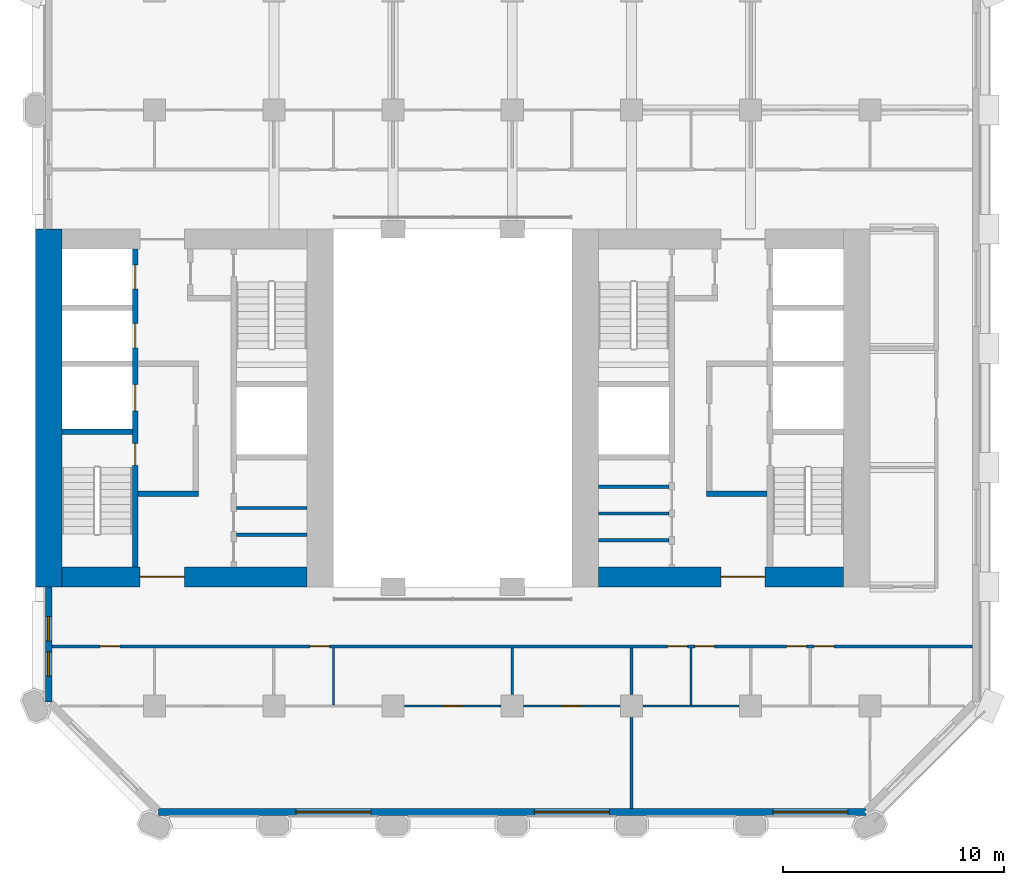
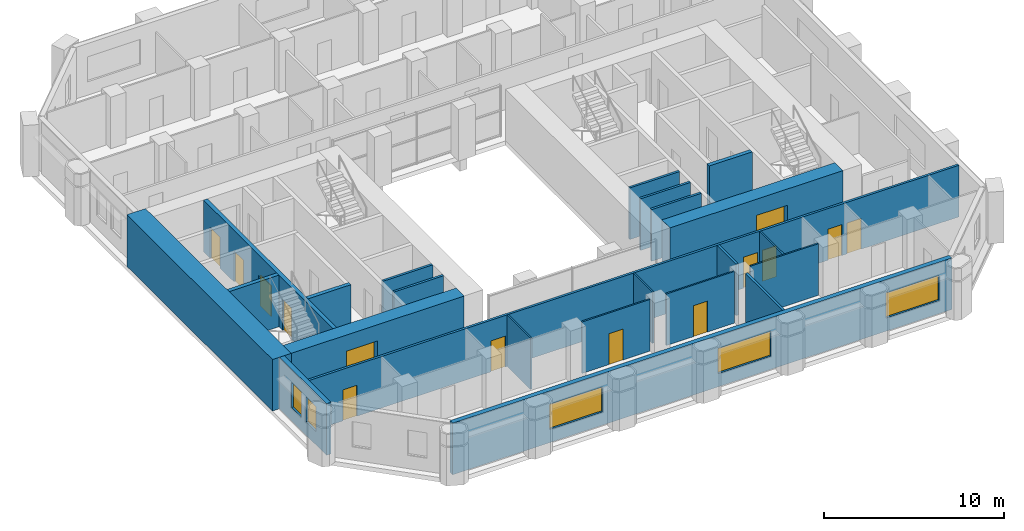
# One storey, part 4 of 11: 23 walls, 14 doors, 5 windows, 19 openings.
"""IFC4 building model written with IfcOpenShell, lengths in metres."""

from ifc_helpers import new_model, si_unit, direction, frame, frame_2d, origin, place, context, subcontext, project, spatial, rectangle, extrude, material, layer, layer_set, type_object, element, fill, save


model = new_model("IFC4")

# Units and contexts
model_context = context("Model", 3, precision=1e-05, world=origin(), true_north=direction((0.0, 1.0)))
body_context = subcontext(model_context, "Body", "Model", "MODEL_VIEW")
ifc_project = project(units=[si_unit("LENGTHUNIT", "METRE"), si_unit("AREAUNIT", "SQUARE_METRE"), si_unit("VOLUMEUNIT", "CUBIC_METRE"), si_unit("PLANEANGLEUNIT", "RADIAN"), si_unit("MASSUNIT", "GRAM", prefix="KILO")], contexts=[model_context])

# Site, building, storey
site_placement = place(None, origin())
site = spatial("IfcSite", under=ifc_project, at=site_placement, CompositionType="ELEMENT")
building_placement = place(site_placement, origin())
building = spatial("IfcBuilding", under=site, at=building_placement, Name="Tabaq Tower and Sports Hall", CompositionType="ELEMENT")
storey_placement = place(building_placement, frame((0.0, 0.0, 76.39990234375)))
storey = spatial("IfcBuildingStorey", under=building, at=storey_placement, Name="L17", CompositionType="ELEMENT", Elevation=76.39990234375)

# Walls
ifc_material_1 = material(Name="Blockwork", Category="masonry")
ifc_layer_1 = layer(ifc_material_1, 0.14990234375)
ifc_layer_set_1 = layer_set([ifc_layer_1], Name="Core room partition 150 Blockwork")
wall_type_1 = type_object("IfcWallType", Name="Core room partition 150 Blockwork", PredefinedType="PARTITIONING", material=ifc_layer_set_1)
for number, where, z_axis, x_axis, name in (
    (1, (14.5, 18.554931640625, 0.0), (0.0, 0.0, 1.0), (1.0, 0.0, 0.0), "Core room partition W L17"),
    (2, (14.5, 19.76708984375, 0.0), (0.0, 0.0, 1.0), (1.0, 0.0, 0.0), "Core room partition W L17"),
):
    element("IfcWall", number, at=place(storey_placement, frame(where, z_axis=z_axis, x_axis=x_axis)), inside=storey, type_object=wall_type_1, Name=name, PredefinedType="PARTITIONING", context=body_context, shape_type="SweptSolid", body=[
        extrude(rectangle(XDim=3.199951171875, YDim=0.14990234375, at=frame_2d((1.60009765625, 0.0))), origin(), (0.0, 0.0, 1.0), 3.5),
    ])
for number, where, z_axis, x_axis, name in (
    (3, (30.89990234375, 18.31201171875, 0.0), (0.0, 0.0, 1.0), (1.0, 0.0, 0.0), "Core room partition E L17"),
    (4, (30.89990234375, 19.52490234375, 0.0), (0.0, 0.0, 1.0), (1.0, 0.0, 0.0), "Core room partition E L17"),
    (5, (30.89990234375, 20.737060546875, 0.0), (0.0, 0.0, 1.0), (1.0, 0.0, 0.0), "Core room partition E L17"),
):
    element("IfcWall", number, at=place(storey_placement, frame(where, z_axis=z_axis, x_axis=x_axis)), inside=storey, type_object=wall_type_1, Name=name, PredefinedType="PARTITIONING", context=body_context, shape_type="SweptSolid", body=[
        extrude(rectangle(XDim=3.2001953125, YDim=0.14990234375, at=frame_2d((1.60009765625, 0.0))), origin(), (0.0, 0.0, 1.0), 3.5),
    ])
ifc_material_2 = material(Name="Concrete C60/75", Category="concrete")
ifc_layer_2 = layer(ifc_material_2, 1.199951171875)
ifc_layer_set_2 = layer_set([ifc_layer_2], Name="Core wall 1200 Concrete C60/75")
wall_type_2 = type_object("IfcWallType", Name="Core wall 1200 Concrete C60/75", PredefinedType="SOLIDWALL", material=ifc_layer_set_2)
wall_1_placement = place(storey_placement, frame((6.0, 16.199951171875, 0.0), z_axis=(0.0, 0.0, 1.0), x_axis=(0.0, 1.0, 0.0)))
element("IfcWall", 6, at=wall_1_placement, inside=storey, type_object=wall_type_2, Name="Core wall W L17", PredefinedType="SOLIDWALL", context=body_context, shape_type="SweptSolid", body=[
    extrude(rectangle(XDim=16.199951171875, YDim=1.199951171875, at=frame_2d((8.10009765625, 0.0))), origin(), (0.0, 0.0, 1.0), 3.5),
])

# Wall, opening, door
ifc_material_3 = material(Name="Concrete C60/75", Category="concrete")
ifc_layer_3 = layer(ifc_material_3, 0.89990234375)
ifc_layer_set_3 = layer_set([ifc_layer_3], Name="Core wall 900 Concrete C60/75")
wall_type_3 = type_object("IfcWallType", Name="Core wall 900 Concrete C60/75", PredefinedType="SOLIDWALL", material=ifc_layer_set_3)
wall_2_placement = place(storey_placement, frame((17.699951171875, 16.64990234375, 0.0), z_axis=(0.0, 0.0, 1.0), x_axis=(-1.0, 0.0, 0.0)))
wall_2 = element("IfcWall", 7, at=wall_2_placement, inside=storey, type_object=wall_type_3, Name="Core wall W L17", PredefinedType="SOLIDWALL", context=body_context, shape_type="SweptSolid", body=[
    extrude(rectangle(XDim=11.099853515625, YDim=0.89990234375, at=frame_2d((5.5498046875, 0.0))), origin(), (0.0, 0.0, 1.0), 3.5),
])
opening_1_placement = place(wall_2_placement, frame((5.550048828125, 0.0, 0.0)))
opening_1 = element("IfcOpeningElement", 8, at=opening_1_placement, cuts=wall_2, Name="Opening PD-WL17-01", PredefinedType="OPENING", context=body_context, shape_type="SweptSolid", body=[
    extrude(rectangle(XDim=2.0, YDim=2.39990234375, at=frame_2d((1.0, 1.199951171875))), frame((0.0, 0.449951171875, 0.0), z_axis=(0.0, -1.0, 0.0), x_axis=(1.0, 0.0, 0.0)), (0.0, 0.0, 1.0), 0.89990234375),
])
ifc_material_4 = material(Name="Steel fire door", Category="steel")
door_type_1 = type_object("IfcDoorType", Name="Core entrance door 2000", OperationType="DOUBLE_DOOR_SINGLE_SWING", PredefinedType="DOOR", material=ifc_material_4)
door_1_placement = place(opening_1_placement, origin())
door_1 = element("IfcDoor", 9, at=door_1_placement, inside=storey, type_object=door_type_1, Name="Core entrance south W L17", OperationType="DOUBLE_DOOR_SINGLE_SWING", OverallHeight=2.39990234375, OverallWidth=2.0, PredefinedType="DOOR", context=body_context, shape_type="SweptSolid", body=[
    extrude(rectangle(XDim=2.0, YDim=2.39990234375, at=frame_2d((1.0, 1.199951171875))), frame((0.0, 0.02490234375, 0.0), z_axis=(0.0, -1.0, 0.0), x_axis=(1.0, 0.0, 0.0)), (0.0, 0.0, 1.0), 0.050048828125),
])
fill(opening_1, door_1)

wall_3_placement = place(storey_placement, frame((42.0, 16.64990234375, 0.0), z_axis=(0.0, 0.0, 1.0), x_axis=(-1.0, 0.0, 0.0)))
wall_3 = element("IfcWall", 10, at=wall_3_placement, inside=storey, type_object=wall_type_3, Name="Core wall E L17", PredefinedType="SOLIDWALL", context=body_context, shape_type="SweptSolid", body=[
    extrude(rectangle(XDim=11.10009765625, YDim=0.89990234375, at=frame_2d((5.550048828125, 0.0))), origin(), (0.0, 0.0, 1.0), 3.5),
])
opening_2_placement = place(wall_3_placement, frame((3.550048828125, 0.0, 0.0)))
opening_2 = element("IfcOpeningElement", 11, at=opening_2_placement, cuts=wall_3, Name="Opening PD-EL17-01", PredefinedType="OPENING", context=body_context, shape_type="SweptSolid", body=[
    extrude(rectangle(XDim=2.0, YDim=2.39990234375, at=frame_2d((1.0, 1.199951171875))), frame((0.0, 0.449951171875, 0.0), z_axis=(0.0, -1.0, 0.0), x_axis=(1.0, 0.0, 0.0)), (0.0, 0.0, 1.0), 0.89990234375),
])
door_2_placement = place(opening_2_placement, origin())
door_2 = element("IfcDoor", 12, at=door_2_placement, inside=storey, type_object=door_type_1, Name="Core entrance south E L17", OperationType="DOUBLE_DOOR_SINGLE_SWING", OverallHeight=2.39990234375, OverallWidth=2.0, PredefinedType="DOOR", context=body_context, shape_type="SweptSolid", body=[
    extrude(rectangle(XDim=2.0, YDim=2.39990234375, at=frame_2d((1.0, 1.199951171875))), frame((0.0, 0.02490234375, 0.0), z_axis=(0.0, -1.0, 0.0), x_axis=(1.0, 0.0, 0.0)), (0.0, 0.0, 1.0), 0.050048828125),
])
fill(opening_2, door_2)

# Wall
ifc_material_5 = material(Name="Gypsum board on steel studs", Category="steel")
ifc_layer_4 = layer(ifc_material_5, 0.10009765625)
ifc_layer_set_4 = layer_set([ifc_layer_4], Name="Partition 100 Gypsum board")
wall_type_4 = type_object("IfcWallType", Name="Partition 100 Gypsum board", PredefinedType="PARTITIONING", material=ifc_layer_set_4)
wall_4_placement = place(storey_placement, frame((18.89990234375, 10.85009765625, 0.0), z_axis=(0.0, 0.0, 1.0), x_axis=(0.0, 1.0, 0.0)))
element("IfcWall", 13, at=wall_4_placement, inside=storey, type_object=wall_type_4, Name="Partition wall L17", PredefinedType="PARTITIONING", context=body_context, shape_type="SweptSolid", body=[
    extrude(rectangle(XDim=2.574951171875, YDim=0.10009765625, at=frame_2d((1.28759765625, 0.0))), origin(), (0.0, 0.0, 1.0), 3.5),
])

# Wall, opening, door
wall_5_placement = place(storey_placement, frame((22.1201171875, 10.800048828125, 0.0), z_axis=(0.0, 0.0, 1.0), x_axis=(1.0, 0.0, 0.0)))
wall_5 = element("IfcWall", 14, at=wall_5_placement, inside=storey, type_object=wall_type_4, Name="Partition wall L17", PredefinedType="PARTITIONING", context=body_context, shape_type="SweptSolid", body=[
    extrude(rectangle(XDim=4.35986328125, YDim=0.10009765625, at=frame_2d((2.179931640625, 0.0))), origin(), (0.0, 0.0, 1.0), 3.5),
])
opening_3_placement = place(wall_5_placement, frame((1.72998046875, 0.0, 0.0)))
opening_3 = element("IfcOpeningElement", 15, at=opening_3_placement, cuts=wall_5, Name="Opening L17-021", PredefinedType="OPENING", context=body_context, shape_type="SweptSolid", body=[
    extrude(rectangle(XDim=0.89990234375, YDim=2.10009765625, at=frame_2d((0.449951171875, 1.050048828125))), frame((0.0, 0.050048828125, 0.0), z_axis=(0.0, -1.0, 0.0), x_axis=(1.0, 0.0, 0.0)), (0.0, 0.0, 1.0), 0.10009765625),
])
ifc_material_6 = material(Name="Timber leaf in steel frame", Category="steel")
door_type_2 = type_object("IfcDoorType", Name="Internal door 900 left hand", OperationType="SINGLE_SWING_LEFT", PredefinedType="DOOR", material=ifc_material_6)
door_3_placement = place(opening_3_placement, origin())
door_3 = element("IfcDoor", 16, at=door_3_placement, inside=storey, type_object=door_type_2, Name="Internal door L17-021", OperationType="SINGLE_SWING_LEFT", OverallHeight=2.10009765625, OverallWidth=0.89990234375, PredefinedType="DOOR", context=body_context, shape_type="SweptSolid", body=[
    extrude(rectangle(XDim=0.89990234375, YDim=2.10009765625, at=frame_2d((0.449951171875, 1.050048828125))), frame((0.0, 0.02490234375, 0.0), z_axis=(0.0, -1.0, 0.0), x_axis=(1.0, 0.0, 0.0)), (0.0, 0.0, 1.0), 0.050048828125),
])
fill(opening_3, door_3)

# Wall
wall_6_placement = place(storey_placement, frame((27.0, 11.320068359375, 0.0), z_axis=(0.0, 0.0, 1.0), x_axis=(0.0, 1.0, 0.0)))
element("IfcWall", 17, at=wall_6_placement, inside=storey, type_object=wall_type_4, Name="Partition wall L17", PredefinedType="PARTITIONING", context=body_context, shape_type="SweptSolid", body=[
    extrude(rectangle(XDim=2.10498046875, YDim=0.10009765625, at=frame_2d((1.052490234375, 0.0))), origin(), (0.0, 0.0, 1.0), 3.5),
])

# Wall, opening, door
wall_7_placement = place(storey_placement, frame((27.52001953125, 10.800048828125, 0.0), z_axis=(0.0, 0.0, 1.0), x_axis=(1.0, 0.0, 0.0)))
wall_7 = element("IfcWall", 18, at=wall_7_placement, inside=storey, type_object=wall_type_4, Name="Partition wall L17", PredefinedType="PARTITIONING", context=body_context, shape_type="SweptSolid", body=[
    extrude(rectangle(XDim=4.35986328125, YDim=0.10009765625, at=frame_2d((2.179931640625, 0.0))), origin(), (0.0, 0.0, 1.0), 3.5),
])
opening_4_placement = place(wall_7_placement, frame((1.72998046875, 0.0, 0.0)))
opening_4 = element("IfcOpeningElement", 19, at=opening_4_placement, cuts=wall_7, Name="Opening L17-022", PredefinedType="OPENING", context=body_context, shape_type="SweptSolid", body=[
    extrude(rectangle(XDim=0.89990234375, YDim=2.10009765625, at=frame_2d((0.449951171875, 1.050048828125))), frame((0.0, 0.050048828125, 0.0), z_axis=(0.0, -1.0, 0.0), x_axis=(1.0, 0.0, 0.0)), (0.0, 0.0, 1.0), 0.10009765625),
])
ifc_material_7 = material(Name="Timber leaf in steel frame", Category="steel")
door_type_3 = type_object("IfcDoorType", Name="Internal door 900 right hand", OperationType="SINGLE_SWING_RIGHT", PredefinedType="DOOR", material=ifc_material_7)
door_4_placement = place(opening_4_placement, origin())
door_4 = element("IfcDoor", 20, at=door_4_placement, inside=storey, type_object=door_type_3, Name="Internal door L17-022", OperationType="SINGLE_SWING_RIGHT", OverallHeight=2.10009765625, OverallWidth=0.89990234375, PredefinedType="DOOR", context=body_context, shape_type="SweptSolid", body=[
    extrude(rectangle(XDim=0.89990234375, YDim=2.10009765625, at=frame_2d((0.449951171875, 1.050048828125))), frame((0.0, 0.02490234375, 0.0), z_axis=(0.0, -1.0, 0.0), x_axis=(1.0, 0.0, 0.0)), (0.0, 0.0, 1.0), 0.050048828125),
])
fill(opening_4, door_4)

# Walls
wall_8_placement = place(storey_placement, frame((35.10009765625, 10.85009765625, 0.0), z_axis=(0.0, 0.0, 1.0), x_axis=(0.0, 1.0, 0.0)))
element("IfcWall", 21, at=wall_8_placement, inside=storey, type_object=wall_type_4, Name="Partition wall L17", PredefinedType="PARTITIONING", context=body_context, shape_type="SweptSolid", body=[
    extrude(rectangle(XDim=2.574951171875, YDim=0.10009765625, at=frame_2d((1.28759765625, 0.0))), origin(), (0.0, 0.0, 1.0), 3.5),
])
wall_9_placement = place(storey_placement, frame((32.919921875, 10.800048828125, 0.0), z_axis=(0.0, 0.0, 1.0), x_axis=(1.0, 0.0, 0.0)))
element("IfcWall", 22, at=wall_9_placement, inside=storey, type_object=wall_type_4, Name="Partition wall L17", PredefinedType="PARTITIONING", context=body_context, shape_type="SweptSolid", body=[
    extrude(rectangle(XDim=4.360107421875, YDim=0.10009765625, at=frame_2d((2.18017578125, 0.0))), origin(), (0.0, 0.0, 1.0), 3.5),
])

# Wall, openings, doors
ifc_material_8 = material(Name="Blockwork", Category="masonry")
ifc_layer_5 = layer(ifc_material_8, 0.14990234375)
ifc_layer_set_5 = layer_set([ifc_layer_5], Name="Separating wall 150 Blockwork")
wall_type_5 = type_object("IfcWallType", Name="Separating wall 150 Blockwork", PredefinedType="PARTITIONING", material=ifc_layer_set_5)
wall_10_placement = place(storey_placement, frame((6.15087890625, 13.5, 0.0), z_axis=(0.0, 0.0, 1.0), x_axis=(1.0, 0.0, 0.0)))
wall_10 = element("IfcWall", 23, at=wall_10_placement, inside=storey, type_object=wall_type_5, Name="Separating wall L17", PredefinedType="PARTITIONING", context=body_context, shape_type="SweptSolid", body=[
    extrude(rectangle(XDim=41.6982421875, YDim=0.14990234375, at=frame_2d((20.84912109375, 0.0))), origin(), (0.0, 0.0, 1.0), 3.5),
])
opening_5_placement = place(wall_10_placement, frame((11.678955078125, 0.0, 0.0)))
opening_5 = element("IfcOpeningElement", 24, at=opening_5_placement, cuts=wall_10, Name="Opening L17-005", PredefinedType="OPENING", context=body_context, shape_type="SweptSolid", body=[
    extrude(rectangle(XDim=0.89990234375, YDim=2.10009765625, at=frame_2d((0.449951171875, 1.050048828125))), frame((0.0, 0.074951171875, 0.0), z_axis=(0.0, -1.0, 0.0), x_axis=(1.0, 0.0, 0.0)), (0.0, 0.0, 1.0), 0.14990234375),
])
opening_6_placement = place(wall_10_placement, frame((27.87890625, 0.0, 0.0)))
opening_6 = element("IfcOpeningElement", 25, at=opening_6_placement, cuts=wall_10, Name="Opening L17-006", PredefinedType="OPENING", context=body_context, shape_type="SweptSolid", body=[
    extrude(rectangle(XDim=0.89990234375, YDim=2.10009765625, at=frame_2d((0.449951171875, 1.050048828125))), frame((0.0, 0.074951171875, 0.0), z_axis=(0.0, -1.0, 0.0), x_axis=(1.0, 0.0, 0.0)), (0.0, 0.0, 1.0), 0.14990234375),
])
opening_7_placement = place(wall_10_placement, frame((29.118896484375, 0.0, 0.0)))
opening_7 = element("IfcOpeningElement", 26, at=opening_7_placement, cuts=wall_10, Name="Opening L17-007", PredefinedType="OPENING", context=body_context, shape_type="SweptSolid", body=[
    extrude(rectangle(XDim=0.89990234375, YDim=2.10009765625, at=frame_2d((0.449951171875, 1.050048828125))), frame((0.0, 0.074951171875, 0.0), z_axis=(0.0, -1.0, 0.0), x_axis=(1.0, 0.0, 0.0)), (0.0, 0.0, 1.0), 0.14990234375),
])
opening_8_placement = place(wall_10_placement, frame((33.279052734375, 0.0, 0.0)))
opening_8 = element("IfcOpeningElement", 27, at=opening_8_placement, cuts=wall_10, Name="Opening L17-008", PredefinedType="OPENING", context=body_context, shape_type="SweptSolid", body=[
    extrude(rectangle(XDim=0.89990234375, YDim=2.10009765625, at=frame_2d((0.449951171875, 1.050048828125))), frame((0.0, 0.074951171875, 0.0), z_axis=(0.0, -1.0, 0.0), x_axis=(1.0, 0.0, 0.0)), (0.0, 0.0, 1.0), 0.14990234375),
])
opening_9_placement = place(wall_10_placement, frame((2.174072265625, 0.0, 0.0)))
opening_9 = element("IfcOpeningElement", 28, at=opening_9_placement, cuts=wall_10, Name="Opening L17-028", PredefinedType="OPENING", context=body_context, shape_type="SweptSolid", body=[
    extrude(rectangle(XDim=0.89990234375, YDim=2.10009765625, at=frame_2d((0.449951171875, 1.050048828125))), frame((0.0, 0.074951171875, 0.0), z_axis=(0.0, -1.0, 0.0), x_axis=(1.0, 0.0, 0.0)), (0.0, 0.0, 1.0), 0.14990234375),
])
opening_10_placement = place(wall_10_placement, frame((34.51904296875, 0.0, 0.0)))
opening_10 = element("IfcOpeningElement", 29, at=opening_10_placement, cuts=wall_10, Name="Opening L17-034", PredefinedType="OPENING", context=body_context, shape_type="SweptSolid", body=[
    extrude(rectangle(XDim=0.89990234375, YDim=2.10009765625, at=frame_2d((0.449951171875, 1.050048828125))), frame((0.0, 0.074951171875, 0.0), z_axis=(0.0, -1.0, 0.0), x_axis=(1.0, 0.0, 0.0)), (0.0, 0.0, 1.0), 0.14990234375),
])
ifc_material_9 = material(Name="Steel fire door", Category="steel")
door_type_4 = type_object("IfcDoorType", Name="Entrance door 900 right hand", OperationType="SINGLE_SWING_RIGHT", PredefinedType="DOOR", material=ifc_material_9)
door_5_placement = place(opening_5_placement, origin())
door_5 = element("IfcDoor", 30, at=door_5_placement, inside=storey, type_object=door_type_4, Name="Entrance door L17-005", OperationType="SINGLE_SWING_RIGHT", OverallHeight=2.10009765625, OverallWidth=0.89990234375, PredefinedType="DOOR", context=body_context, shape_type="SweptSolid", body=[
    extrude(rectangle(XDim=0.89990234375, YDim=2.10009765625, at=frame_2d((0.449951171875, 1.050048828125))), frame((0.0, 0.02490234375, 0.0), z_axis=(0.0, -1.0, 0.0), x_axis=(1.0, 0.0, 0.0)), (0.0, 0.0, 1.0), 0.050048828125),
])
fill(opening_5, door_5)
door_6_placement = place(opening_6_placement, origin())
door_6 = element("IfcDoor", 31, at=door_6_placement, inside=storey, type_object=door_type_4, Name="Entrance door L17-006", OperationType="SINGLE_SWING_RIGHT", OverallHeight=2.10009765625, OverallWidth=0.89990234375, PredefinedType="DOOR", context=body_context, shape_type="SweptSolid", body=[
    extrude(rectangle(XDim=0.89990234375, YDim=2.10009765625, at=frame_2d((0.449951171875, 1.050048828125))), frame((0.0, 0.02490234375, 0.0), z_axis=(0.0, -1.0, 0.0), x_axis=(1.0, 0.0, 0.0)), (0.0, 0.0, 1.0), 0.050048828125),
])
fill(opening_6, door_6)
door_7_placement = place(opening_7_placement, origin())
door_7 = element("IfcDoor", 32, at=door_7_placement, inside=storey, type_object=door_type_4, Name="Entrance door L17-007", OperationType="SINGLE_SWING_RIGHT", OverallHeight=2.10009765625, OverallWidth=0.89990234375, PredefinedType="DOOR", context=body_context, shape_type="SweptSolid", body=[
    extrude(rectangle(XDim=0.89990234375, YDim=2.10009765625, at=frame_2d((0.449951171875, 1.050048828125))), frame((0.0, 0.02490234375, 0.0), z_axis=(0.0, -1.0, 0.0), x_axis=(1.0, 0.0, 0.0)), (0.0, 0.0, 1.0), 0.050048828125),
])
fill(opening_7, door_7)
door_8_placement = place(opening_8_placement, origin())
door_8 = element("IfcDoor", 33, at=door_8_placement, inside=storey, type_object=door_type_4, Name="Entrance door L17-008", OperationType="SINGLE_SWING_RIGHT", OverallHeight=2.10009765625, OverallWidth=0.89990234375, PredefinedType="DOOR", context=body_context, shape_type="SweptSolid", body=[
    extrude(rectangle(XDim=0.89990234375, YDim=2.10009765625, at=frame_2d((0.449951171875, 1.050048828125))), frame((0.0, 0.02490234375, 0.0), z_axis=(0.0, -1.0, 0.0), x_axis=(1.0, 0.0, 0.0)), (0.0, 0.0, 1.0), 0.050048828125),
])
fill(opening_8, door_8)
door_9_placement = place(opening_9_placement, origin())
door_9 = element("IfcDoor", 34, at=door_9_placement, inside=storey, type_object=door_type_4, Name="Entrance door L17-028", OperationType="SINGLE_SWING_RIGHT", OverallHeight=2.10009765625, OverallWidth=0.89990234375, PredefinedType="DOOR", context=body_context, shape_type="SweptSolid", body=[
    extrude(rectangle(XDim=0.89990234375, YDim=2.10009765625, at=frame_2d((0.449951171875, 1.050048828125))), frame((0.0, 0.02490234375, 0.0), z_axis=(0.0, -1.0, 0.0), x_axis=(1.0, 0.0, 0.0)), (0.0, 0.0, 1.0), 0.050048828125),
])
fill(opening_9, door_9)
door_10_placement = place(opening_10_placement, origin())
door_10 = element("IfcDoor", 35, at=door_10_placement, inside=storey, type_object=door_type_4, Name="Entrance door L17-034", OperationType="SINGLE_SWING_RIGHT", OverallHeight=2.10009765625, OverallWidth=0.89990234375, PredefinedType="DOOR", context=body_context, shape_type="SweptSolid", body=[
    extrude(rectangle(XDim=0.89990234375, YDim=2.10009765625, at=frame_2d((0.449951171875, 1.050048828125))), frame((0.0, 0.02490234375, 0.0), z_axis=(0.0, -1.0, 0.0), x_axis=(1.0, 0.0, 0.0)), (0.0, 0.0, 1.0), 0.050048828125),
])
fill(opening_10, door_10)

# Walls
wall_11_placement = place(storey_placement, frame((32.39990234375, 11.320068359375, 0.0), z_axis=(0.0, 0.0, 1.0), x_axis=(0.0, 1.0, 0.0)))
element("IfcWall", 36, at=wall_11_placement, inside=storey, type_object=wall_type_5, Name="Separating wall L17", PredefinedType="PARTITIONING", context=body_context, shape_type="SweptSolid", body=[
    extrude(rectangle(XDim=2.10498046875, YDim=0.14990234375, at=frame_2d((1.052490234375, 0.0))), origin(), (0.0, 0.0, 1.0), 3.5),
])
wall_12_placement = place(storey_placement, frame((32.39990234375, 6.15087890625, 0.0), z_axis=(0.0, 0.0, 1.0), x_axis=(0.0, 1.0, 0.0)))
element("IfcWall", 37, at=wall_12_placement, inside=storey, type_object=wall_type_5, Name="Separating wall L17", PredefinedType="PARTITIONING", context=body_context, shape_type="SweptSolid", body=[
    extrude(rectangle(XDim=4.129150390625, YDim=0.14990234375, at=frame_2d((2.064453125, 0.0))), origin(), (0.0, 0.0, 1.0), 3.5),
])

# Wall, openings, doors
ifc_material_10 = material(Name="Concrete C40/50", Category="concrete")
ifc_layer_6 = layer(ifc_material_10, 0.25)
ifc_layer_set_6 = layer_set([ifc_layer_6], Name="Shaft and stair wall 250 Concrete C40/50")
wall_type_6 = type_object("IfcWallType", Name="Shaft and stair wall 250 Concrete C40/50", PredefinedType="SOLIDWALL", material=ifc_layer_set_6)
wall_13_placement = place(storey_placement, frame((9.925048828125, 17.10009765625, 0.0), z_axis=(0.0, 0.0, 1.0), x_axis=(0.0, 1.0, 0.0)))
wall_13 = element("IfcWall", 38, at=wall_13_placement, inside=storey, type_object=wall_type_6, Name="Shaft wall W L17", PredefinedType="SOLIDWALL", context=body_context, shape_type="SweptSolid", body=[
    extrude(rectangle(XDim=14.39990234375, YDim=0.25, at=frame_2d((7.199951171875, 0.0))), origin(), (0.0, 0.0, 1.0), 3.5),
])
opening_11_placement = place(wall_13_placement, frame((4.60009765625, 0.0, 0.0)))
opening_11 = element("IfcOpeningElement", 39, at=opening_11_placement, cuts=wall_13, Name="Opening SD-WL17-03", PredefinedType="OPENING", context=body_context, shape_type="SweptSolid", body=[
    extrude(rectangle(XDim=1.0, YDim=2.10009765625, at=frame_2d((0.5, 1.050048828125))), frame((0.0, 0.125, 0.0), z_axis=(0.0, -1.0, 0.0), x_axis=(1.0, 0.0, 0.0)), (0.0, 0.0, 1.0), 0.25),
])
opening_12_placement = place(wall_13_placement, frame((7.0625, 0.0, 0.0)))
opening_12 = element("IfcOpeningElement", 40, at=opening_12_placement, cuts=wall_13, Name="Opening LD-FF1-L17", PredefinedType="OPENING", context=body_context, shape_type="SweptSolid", body=[
    extrude(rectangle(XDim=1.199951171875, YDim=2.10009765625, at=frame_2d((0.60009765625, 1.050048828125))), frame((0.0, 0.125, 0.0), z_axis=(0.0, -1.0, 0.0), x_axis=(1.0, 0.0, 0.0)), (0.0, 0.0, 1.0), 0.25),
])
opening_13_placement = place(wall_13_placement, frame((9.925048828125, 0.0, 0.0)))
opening_13 = element("IfcOpeningElement", 41, at=opening_13_placement, cuts=wall_13, Name="Opening LD-LR1-L17", PredefinedType="OPENING", context=body_context, shape_type="SweptSolid", body=[
    extrude(rectangle(XDim=1.10009765625, YDim=2.10009765625, at=frame_2d((0.550048828125, 1.050048828125))), frame((0.0, 0.125, 0.0), z_axis=(0.0, -1.0, 0.0), x_axis=(1.0, 0.0, 0.0)), (0.0, 0.0, 1.0), 0.25),
])
opening_14_placement = place(wall_13_placement, frame((12.58740234375, 0.0, 0.0)))
opening_14 = element("IfcOpeningElement", 42, at=opening_14_placement, cuts=wall_13, Name="Opening LD-LR2-L17", PredefinedType="OPENING", context=body_context, shape_type="SweptSolid", body=[
    extrude(rectangle(XDim=1.10009765625, YDim=2.10009765625, at=frame_2d((0.550048828125, 1.050048828125))), frame((0.0, 0.125, 0.0), z_axis=(0.0, -1.0, 0.0), x_axis=(1.0, 0.0, 0.0)), (0.0, 0.0, 1.0), 0.25),
])
ifc_material_11 = material(Name="Stainless steel", Category="steel")
door_type_5 = type_object("IfcDoorType", Name="Lift landing door 1100", OperationType="DOUBLE_DOOR_SLIDING", PredefinedType="DOOR", material=ifc_material_11)
door_11_placement = place(opening_13_placement, origin())
door_11 = element("IfcDoor", 43, at=door_11_placement, inside=storey, type_object=door_type_5, Name="Lift landing door LR1 W L17", OperationType="DOUBLE_DOOR_SLIDING", OverallHeight=2.10009765625, OverallWidth=1.10009765625, PredefinedType="DOOR", context=body_context, shape_type="SweptSolid", body=[
    extrude(rectangle(XDim=1.10009765625, YDim=2.10009765625, at=frame_2d((0.550048828125, 1.050048828125))), frame((0.0, 0.02490234375, 0.0), z_axis=(0.0, -1.0, 0.0), x_axis=(1.0, 0.0, 0.0)), (0.0, 0.0, 1.0), 0.050048828125),
])
fill(opening_13, door_11)
door_12_placement = place(opening_14_placement, origin())
door_12 = element("IfcDoor", 44, at=door_12_placement, inside=storey, type_object=door_type_5, Name="Lift landing door LR2 W L17", OperationType="DOUBLE_DOOR_SLIDING", OverallHeight=2.10009765625, OverallWidth=1.10009765625, PredefinedType="DOOR", context=body_context, shape_type="SweptSolid", body=[
    extrude(rectangle(XDim=1.10009765625, YDim=2.10009765625, at=frame_2d((0.550048828125, 1.050048828125))), frame((0.0, 0.02490234375, 0.0), z_axis=(0.0, -1.0, 0.0), x_axis=(1.0, 0.0, 0.0)), (0.0, 0.0, 1.0), 0.050048828125),
])
fill(opening_14, door_12)
ifc_material_12 = material(Name="Stainless steel", Category="steel")
door_type_6 = type_object("IfcDoorType", Name="Lift landing door 1200", OperationType="DOUBLE_DOOR_SLIDING", PredefinedType="DOOR", material=ifc_material_12)
door_13_placement = place(opening_12_placement, origin())
door_13 = element("IfcDoor", 45, at=door_13_placement, inside=storey, type_object=door_type_6, Name="Lift landing door FF1 W L17", OperationType="DOUBLE_DOOR_SLIDING", OverallHeight=2.10009765625, OverallWidth=1.199951171875, PredefinedType="DOOR", context=body_context, shape_type="SweptSolid", body=[
    extrude(rectangle(XDim=1.199951171875, YDim=2.10009765625, at=frame_2d((0.60009765625, 1.050048828125))), frame((0.0, 0.02490234375, 0.0), z_axis=(0.0, -1.0, 0.0), x_axis=(1.0, 0.0, 0.0)), (0.0, 0.0, 1.0), 0.050048828125),
])
fill(opening_12, door_13)
ifc_material_13 = material(Name="Steel fire door", Category="steel")
door_type_7 = type_object("IfcDoorType", Name="Stair door 1000", OperationType="SINGLE_SWING_LEFT", PredefinedType="DOOR", material=ifc_material_13)
door_14_placement = place(opening_11_placement, origin())
door_14 = element("IfcDoor", 46, at=door_14_placement, inside=storey, type_object=door_type_7, Name="Stair door ST1 W L17", OperationType="SINGLE_SWING_LEFT", OverallHeight=2.10009765625, OverallWidth=1.0, PredefinedType="DOOR", context=body_context, shape_type="SweptSolid", body=[
    extrude(rectangle(XDim=1.0, YDim=2.10009765625, at=frame_2d((0.5, 1.050048828125))), frame((0.0, 0.02490234375, 0.0), z_axis=(0.0, -1.0, 0.0), x_axis=(1.0, 0.0, 0.0)), (0.0, 0.0, 1.0), 0.050048828125),
])
fill(opening_11, door_14)

# Walls
wall_14_placement = place(storey_placement, frame((6.60009765625, 23.22509765625, 0.0), z_axis=(0.0, 0.0, 1.0), x_axis=(1.0, 0.0, 0.0)))
element("IfcWall", 47, at=wall_14_placement, inside=storey, type_object=wall_type_6, Name="Stair enclosure wall W L17", PredefinedType="SOLIDWALL", context=body_context, shape_type="SweptSolid", body=[
    extrude(rectangle(XDim=3.199951171875, YDim=0.25, at=frame_2d((1.60009765625, 0.0))), origin(), (0.0, 0.0, 1.0), 3.5),
])
for number, where, z_axis, x_axis, name in (
    (48, (10.050048828125, 20.425048828125, 0.0), (0.0, 0.0, 1.0), (1.0, 0.0, 0.0), "Fire-fighting lobby wall W L17"),
    (49, (35.800048828125, 20.425048828125, 0.0), (0.0, 0.0, 1.0), (1.0, 0.0, 0.0), "Fire-fighting lobby wall E L17"),
):
    element("IfcWall", number, at=place(storey_placement, frame(where, z_axis=z_axis, x_axis=x_axis)), inside=storey, type_object=wall_type_6, Name=name, PredefinedType="SOLIDWALL", context=body_context, shape_type="SweptSolid", body=[
        extrude(rectangle(XDim=2.75, YDim=0.25, at=frame_2d((1.375, 0.0))), origin(), (0.0, 0.0, 1.0), 3.5),
    ])

# Wall, openings, windows
ifc_material_14 = material(Name="White precast concrete C60/75", Category="concrete")
ifc_layer_7 = layer(ifc_material_14, 0.300048828125)
ifc_layer_set_7 = layer_set([ifc_layer_7], Name="White precast concrete C60/75 external wall 300")
wall_type_7 = type_object("IfcWallType", Name="White precast concrete C60/75 external wall 300", PredefinedType="SOLIDWALL", material=ifc_layer_set_7)
wall_15_placement = place(storey_placement, frame((10.986328125, 6.0, 0.0), z_axis=(0.0, 0.0, 1.0), x_axis=(1.0, 0.0, 0.0)))
wall_15 = element("IfcWall", 50, at=wall_15_placement, inside=storey, type_object=wall_type_7, Name="External Wall L17 S", PredefinedType="SOLIDWALL", context=body_context, shape_type="SweptSolid", body=[
    extrude(rectangle(XDim=32.02734375, YDim=0.300048828125, at=frame_2d((16.013671875, 0.0))), origin(), (0.0, 0.0, 1.0), 3.5),
])
opening_15_placement = place(wall_15_placement, frame((6.213623046875, 0.0, 0.89990234375)))
opening_15 = element("IfcOpeningElement", 51, at=opening_15_placement, cuts=wall_15, Name="Opening W1A", PredefinedType="OPENING", context=body_context, shape_type="SweptSolid", body=[
    extrude(rectangle(XDim=3.39990234375, YDim=1.699951171875, at=frame_2d((1.699951171875, 0.85009765625))), frame((0.0, 0.16015625, 0.0), z_axis=(0.0, -1.0, 0.0), x_axis=(1.0, 0.0, 0.0)), (0.0, 0.0, 1.0), 0.320068359375),
])
opening_16_placement = place(wall_15_placement, frame((17.013671875, 0.0, 0.89990234375)))
opening_16 = element("IfcOpeningElement", 52, at=opening_16_placement, cuts=wall_15, Name="Opening W1A", PredefinedType="OPENING", context=body_context, shape_type="SweptSolid", body=[
    extrude(rectangle(XDim=3.39990234375, YDim=1.699951171875, at=frame_2d((1.699951171875, 0.85009765625))), frame((0.0, 0.16015625, 0.0), z_axis=(0.0, -1.0, 0.0), x_axis=(1.0, 0.0, 0.0)), (0.0, 0.0, 1.0), 0.320068359375),
])
opening_17_placement = place(wall_15_placement, frame((27.813720703125, 0.0, 0.89990234375)))
opening_17 = element("IfcOpeningElement", 53, at=opening_17_placement, cuts=wall_15, Name="Opening W1A", PredefinedType="OPENING", context=body_context, shape_type="SweptSolid", body=[
    extrude(rectangle(XDim=3.39990234375, YDim=1.699951171875, at=frame_2d((1.699951171875, 0.85009765625))), frame((0.0, 0.16015625, 0.0), z_axis=(0.0, -1.0, 0.0), x_axis=(1.0, 0.0, 0.0)), (0.0, 0.0, 1.0), 0.320068359375),
])
ifc_material_15 = material(Name="Aluminium framed clear glazing", Category="aluminium")
window_type_1 = type_object("IfcWindowType", Name="Window W1A", PartitioningType="SINGLE_PANEL", PredefinedType="WINDOW", material=ifc_material_15)
window_1_placement = place(opening_15_placement, origin())
window_1 = element("IfcWindow", 54, at=window_1_placement, inside=storey, type_object=window_type_1, Name="Window W1A L17", OverallHeight=1.699951171875, OverallWidth=3.39990234375, PartitioningType="SINGLE_PANEL", PredefinedType="WINDOW", context=body_context, shape_type="SweptSolid", body=[
    extrude(rectangle(XDim=3.39990234375, YDim=1.699951171875, at=frame_2d((1.699951171875, 0.85009765625))), frame((0.0, 0.030029296875, 0.0), z_axis=(0.0, -1.0, 0.0), x_axis=(1.0, 0.0, 0.0)), (0.0, 0.0, 1.0), 0.06005859375),
])
fill(opening_15, window_1)
window_2_placement = place(opening_16_placement, origin())
window_2 = element("IfcWindow", 55, at=window_2_placement, inside=storey, type_object=window_type_1, Name="Window W1A L17", OverallHeight=1.699951171875, OverallWidth=3.39990234375, PartitioningType="SINGLE_PANEL", PredefinedType="WINDOW", context=body_context, shape_type="SweptSolid", body=[
    extrude(rectangle(XDim=3.39990234375, YDim=1.699951171875, at=frame_2d((1.699951171875, 0.85009765625))), frame((0.0, 0.030029296875, 0.0), z_axis=(0.0, -1.0, 0.0), x_axis=(1.0, 0.0, 0.0)), (0.0, 0.0, 1.0), 0.06005859375),
])
fill(opening_16, window_2)
window_3_placement = place(opening_17_placement, origin())
window_3 = element("IfcWindow", 56, at=window_3_placement, inside=storey, type_object=window_type_1, Name="Window W1A L17", OverallHeight=1.699951171875, OverallWidth=3.39990234375, PartitioningType="SINGLE_PANEL", PredefinedType="WINDOW", context=body_context, shape_type="SweptSolid", body=[
    extrude(rectangle(XDim=3.39990234375, YDim=1.699951171875, at=frame_2d((1.699951171875, 0.85009765625))), frame((0.0, 0.030029296875, 0.0), z_axis=(0.0, -1.0, 0.0), x_axis=(1.0, 0.0, 0.0)), (0.0, 0.0, 1.0), 0.06005859375),
])
fill(opening_17, window_3)

wall_16_placement = place(storey_placement, frame((6.0, 16.199951171875, 0.0), z_axis=(0.0, 0.0, 1.0), x_axis=(0.0, -1.0, 0.0)))
wall_16 = element("IfcWall", 57, at=wall_16_placement, inside=storey, type_object=wall_type_7, Name="External Wall L17 W", PredefinedType="SOLIDWALL", context=body_context, shape_type="SweptSolid", body=[
    extrude(rectangle(XDim=5.213623046875, YDim=0.300048828125, at=frame_2d((2.60693359375, 0.0))), origin(), (0.0, 0.0, 1.0), 3.5),
])
opening_18_placement = place(wall_16_placement, frame((1.35009765625, 0.0, 0.89990234375)))
opening_18 = element("IfcOpeningElement", 58, at=opening_18_placement, cuts=wall_16, Name="Opening W1B", PredefinedType="OPENING", context=body_context, shape_type="SweptSolid", body=[
    extrude(rectangle(XDim=1.10009765625, YDim=1.699951171875, at=frame_2d((0.550048828125, 0.85009765625))), frame((0.0, 0.16015625, 0.0), z_axis=(0.0, -1.0, 0.0), x_axis=(1.0, 0.0, 0.0)), (0.0, 0.0, 1.0), 0.320068359375),
])
opening_19_placement = place(wall_16_placement, frame((2.949951171875, 0.0, 0.89990234375)))
opening_19 = element("IfcOpeningElement", 59, at=opening_19_placement, cuts=wall_16, Name="Opening W1B", PredefinedType="OPENING", context=body_context, shape_type="SweptSolid", body=[
    extrude(rectangle(XDim=1.10009765625, YDim=1.699951171875, at=frame_2d((0.550048828125, 0.85009765625))), frame((0.0, 0.16015625, 0.0), z_axis=(0.0, -1.0, 0.0), x_axis=(1.0, 0.0, 0.0)), (0.0, 0.0, 1.0), 0.320068359375),
])
ifc_material_16 = material(Name="Aluminium framed clear glazing", Category="aluminium")
window_type_2 = type_object("IfcWindowType", Name="Window W1B", PartitioningType="SINGLE_PANEL", PredefinedType="WINDOW", material=ifc_material_16)
window_4_placement = place(opening_18_placement, origin())
window_4 = element("IfcWindow", 60, at=window_4_placement, inside=storey, type_object=window_type_2, Name="Window W1B L17", OverallHeight=1.699951171875, OverallWidth=1.10009765625, PartitioningType="SINGLE_PANEL", PredefinedType="WINDOW", context=body_context, shape_type="SweptSolid", body=[
    extrude(rectangle(XDim=1.10009765625, YDim=1.699951171875, at=frame_2d((0.550048828125, 0.85009765625))), frame((0.0, 0.030029296875, 0.0), z_axis=(0.0, -1.0, 0.0), x_axis=(1.0, 0.0, 0.0)), (0.0, 0.0, 1.0), 0.06005859375),
])
fill(opening_18, window_4)
window_5_placement = place(opening_19_placement, origin())
window_5 = element("IfcWindow", 61, at=window_5_placement, inside=storey, type_object=window_type_2, Name="Window W1B L17", OverallHeight=1.699951171875, OverallWidth=1.10009765625, PartitioningType="SINGLE_PANEL", PredefinedType="WINDOW", context=body_context, shape_type="SweptSolid", body=[
    extrude(rectangle(XDim=1.10009765625, YDim=1.699951171875, at=frame_2d((0.550048828125, 0.85009765625))), frame((0.0, 0.030029296875, 0.0), z_axis=(0.0, -1.0, 0.0), x_axis=(1.0, 0.0, 0.0)), (0.0, 0.0, 1.0), 0.06005859375),
])
fill(opening_19, window_5)

save(model, "model.ifc")
